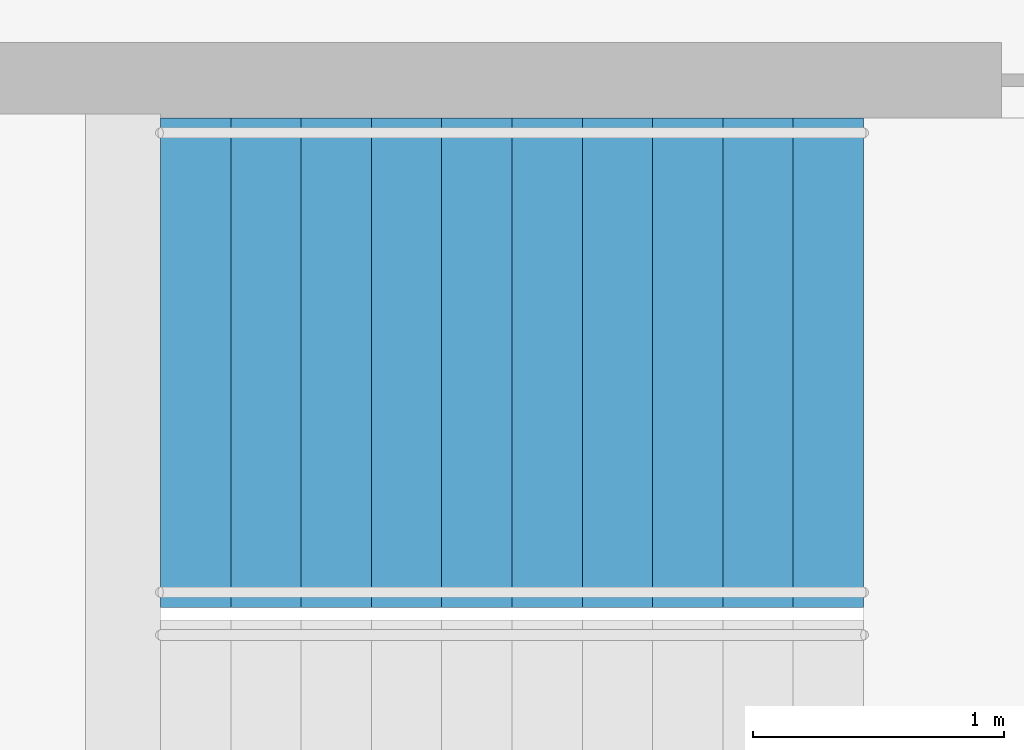
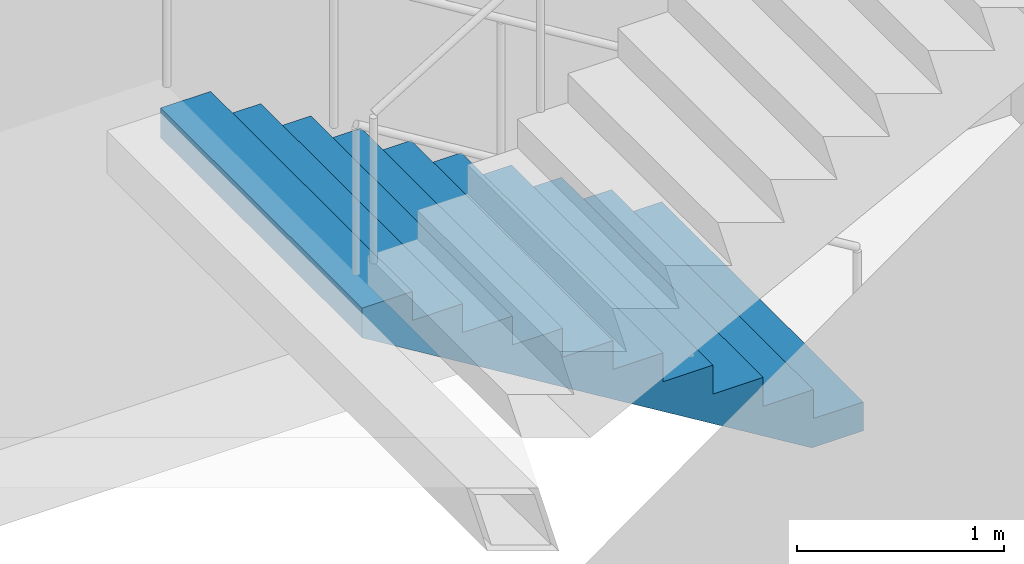
# One storey, part 23 of 26: 1 stair flight, 1 element without a shape of its own.
"""IFC4 building model written with IfcOpenShell, lengths in metres."""

from ifc_helpers import new_model, si_unit, direction, frame, origin, place, context, subcontext, project, spatial, triangles, material, type_object, element, aggregate, save


model = new_model("IFC4")

# Units and contexts
model_context = context("Model", 3, precision=1e-05, world=origin(), true_north=direction((0.0, 1.0)))
body_context = subcontext(model_context, "Body", "Model", "MODEL_VIEW")
ifc_project = project(units=[si_unit("LENGTHUNIT", "METRE"), si_unit("AREAUNIT", "SQUARE_METRE"), si_unit("VOLUMEUNIT", "CUBIC_METRE"), si_unit("PLANEANGLEUNIT", "RADIAN"), si_unit("MASSUNIT", "GRAM", prefix="KILO")], contexts=[model_context])

# Site, building, storey
site_placement = place(None, origin())
site = spatial("IfcSite", under=ifc_project, at=site_placement, CompositionType="ELEMENT")
building_placement = place(site_placement, origin())
building = spatial("IfcBuilding", under=site, at=building_placement, Name="Orbita Commons", CompositionType="ELEMENT")
storey_placement = place(building_placement, frame((0.0, 0.0, 53.949951171875)))
storey = spatial("IfcBuildingStorey", under=building, at=storey_placement, Name="L13", CompositionType="ELEMENT", Elevation=53.949951171875)

# Stair, stair flight
ifc_material_1 = material(Name="Precast concrete C40/50", Category="concrete")
stair_type = type_object("IfcStairType", Name="Exit stair S2 2 flights 11 risers 170", PredefinedType="HALF_TURN_STAIR", material=ifc_material_1)
stair_placement = place(storey_placement, origin())
stair = element("IfcStair", 1, at=stair_placement, inside=storey, type_object=stair_type, Name="Exit stair S2 L13", PredefinedType="HALF_TURN_STAIR")
ifc_material_2 = material(Name="Precast concrete C40/50", Category="concrete")
stair_flight_type = type_object("IfcStairFlightType", Name="Stair flight 11 risers 170 x 280", PredefinedType="STRAIGHT", material=ifc_material_2)
stair_flight_placement = place(storey_placement, frame((63.550048828125, 29.27490234375, 0.0), z_axis=(0.0, 0.0, 1.0), x_axis=(-1.0, 0.0, 0.0)))
stair_flight = element("IfcStairFlight", 2, at=stair_flight_placement, type_object=stair_flight_type, Name="S2 flight 1", NumberOfRisers=11, NumberOfTreads=10, PredefinedType="STRAIGHT", RiserHeight=0.170454545, TreadLength=0.28, context=body_context, shape_type="Tessellation", body=[
    triangles([(0.0, 0.974976, 0.0), (0.0, 0.974976, 0.021307), (0.0, 0.81248, 0.021307), (0.0, 0.81248, 0.0), (0.0, 0.649984, 0.021307), (0.0, 0.649984, 0.0), (0.0, 0.487488, 0.021307), (0.0, 0.487488, 0.0), (0.0, 0.324992, 0.021307), (0.0, 0.324992, 0.0), (0.0, 0.162496, 0.021307), (0.0, 0.162496, 0.0), (0.0, 0.0, 0.021307), (0.0, 0.0, 0.0), (0.0, -0.162496, 0.021307), (0.0, -0.162496, 0.0), (0.0, -0.324992, 0.021307), (0.0, -0.324992, 0.0), (0.0, -0.487488, 0.021307), (0.0, -0.487488, 0.0), (0.0, -0.649984, 0.021307), (0.0, -0.649984, 0.0), (0.0, -0.81248, 0.021307), (0.0, -0.81248, 0.0), (0.0, -0.974976, 0.021307), (0.0, -0.974976, 0.0), (0.0, 0.974976, 0.042614), (0.0, 0.81248, 0.042614), (0.0, 0.649984, 0.042614), (0.0, 0.487488, 0.042614), (0.0, 0.324992, 0.042614), (0.0, 0.162496, 0.042614), (0.0, 0.0, 0.042614), (0.0, -0.162496, 0.042614), (0.0, -0.324992, 0.042614), (0.0, -0.487488, 0.042614), (0.0, -0.649984, 0.042614), (0.0, -0.81248, 0.042614), (0.0, -0.974976, 0.042614), (0.0, 0.974976, 0.06392), (0.0, 0.81248, 0.06392), (0.0, 0.649984, 0.06392), (0.0, 0.487488, 0.06392), (0.0, 0.324992, 0.06392), (0.0, 0.162496, 0.06392), (0.0, 0.0, 0.06392), (0.0, -0.162496, 0.06392), (0.0, -0.324992, 0.06392), (0.0, -0.487488, 0.06392), (0.0, -0.649984, 0.06392), (0.0, -0.81248, 0.06392), (0.0, -0.974976, 0.06392), (0.0, 0.974976, 0.085227), (0.0, 0.81248, 0.085227), (0.0, 0.649984, 0.085227), (0.0, 0.487488, 0.085227), (0.0, 0.324992, 0.085227), (0.0, 0.162496, 0.085227), (0.0, 0.0, 0.085227), (0.0, -0.162496, 0.085227), (0.0, -0.324992, 0.085227), (0.0, -0.487488, 0.085227), (0.0, -0.649984, 0.085227), (0.0, -0.81248, 0.085227), (0.0, -0.974976, 0.085227), (0.0, 0.974976, 0.106534), (0.0, 0.81248, 0.106534), (0.0, 0.649984, 0.106534), (0.0, 0.487488, 0.106534), (0.0, 0.324992, 0.106534), (0.0, 0.162496, 0.106534), (0.0, 0.0, 0.106534), (0.0, -0.162496, 0.106534), (0.0, -0.324992, 0.106534), (0.0, -0.487488, 0.106534), (0.0, -0.649984, 0.106534), (0.0, -0.81248, 0.106534), (0.0, -0.974976, 0.106534), (0.0, 0.974976, 0.127841), (0.0, 0.81248, 0.127841), (0.0, 0.649984, 0.127841), (0.0, 0.487488, 0.127841), (0.0, 0.324992, 0.127841), (0.0, 0.162496, 0.127841), (0.0, 0.0, 0.127841), (0.0, -0.162496, 0.127841), (0.0, -0.324992, 0.127841), (0.0, -0.487488, 0.127841), (0.0, -0.649984, 0.127841), (0.0, -0.81248, 0.127841), (0.0, -0.974976, 0.127841), (0.0, 0.974976, 0.149148), (0.0, 0.81248, 0.149148), (0.0, 0.649984, 0.149148), (0.0, 0.487488, 0.149148), (0.0, 0.324992, 0.149148), (0.0, 0.162496, 0.149148), (0.0, 0.0, 0.149148), (0.0, -0.162496, 0.149148), (0.0, -0.324992, 0.149148), (0.0, -0.487488, 0.149148), (0.0, -0.649984, 0.149148), (0.0, -0.81248, 0.149148), (0.0, -0.974976, 0.149148), (0.0, 0.974976, 0.170455), (0.0, 0.81248, 0.170455), (0.0, 0.649984, 0.170455), (0.0, 0.487488, 0.170455), (0.0, 0.324992, 0.170455), (0.0, 0.162496, 0.170455), (0.0, 0.0, 0.170455), (0.0, -0.162496, 0.170455), (0.0, -0.324992, 0.170455), (0.0, -0.487488, 0.170455), (0.0, -0.649984, 0.170455), (0.0, -0.81248, 0.170455), (0.0, -0.974976, 0.170455), (0.28, 0.974976, 0.170455), (0.28, 0.81248, 0.170455), (0.28, 0.649984, 0.170455), (0.28, 0.487488, 0.170455), (0.28, 0.324992, 0.170455), (0.28, 0.162496, 0.170455), (0.28, 0.0, 0.170455), (0.28, -0.162496, 0.170455), (0.28, -0.324992, 0.170455), (0.28, -0.487488, 0.170455), (0.28, -0.649984, 0.170455), (0.28, -0.81248, 0.170455), (0.28, -0.974976, 0.170455), (0.28, 0.974976, 0.340909), (0.28, 0.81248, 0.340909), (0.28, 0.649984, 0.340909), (0.28, 0.487488, 0.340909), (0.28, 0.324992, 0.340909), (0.28, 0.162496, 0.340909), (0.28, 0.0, 0.340909), (0.28, -0.162496, 0.340909), (0.28, -0.324992, 0.340909), (0.28, -0.487488, 0.340909), (0.28, -0.649984, 0.340909), (0.28, -0.81248, 0.340909), (0.28, -0.974976, 0.340909), (0.56, 0.974976, 0.340909), (0.56, 0.81248, 0.340909), (0.56, 0.649984, 0.340909), (0.56, 0.487488, 0.340909), (0.56, 0.324992, 0.340909), (0.56, 0.162496, 0.340909), (0.56, 0.0, 0.340909), (0.56, -0.162496, 0.340909), (0.56, -0.324992, 0.340909), (0.56, -0.487488, 0.340909), (0.56, -0.649984, 0.340909), (0.56, -0.81248, 0.340909), (0.56, -0.974976, 0.340909), (0.56, 0.974976, 0.511364), (0.56, 0.81248, 0.511364), (0.56, 0.649984, 0.511364), (0.56, 0.487488, 0.511364), (0.56, 0.324992, 0.511364), (0.56, 0.162496, 0.511364), (0.56, 0.0, 0.511364), (0.56, -0.162496, 0.511364), (0.56, -0.324992, 0.511364), (0.56, -0.487488, 0.511364), (0.56, -0.649984, 0.511364), (0.56, -0.81248, 0.511364), (0.56, -0.974976, 0.511364), (0.84, 0.974976, 0.511364), (0.84, 0.81248, 0.511364), (0.84, 0.649984, 0.511364), (0.84, 0.487488, 0.511364), (0.84, 0.324992, 0.511364), (0.84, 0.162496, 0.511364), (0.84, 0.0, 0.511364), (0.84, -0.162496, 0.511364), (0.84, -0.324992, 0.511364), (0.84, -0.487488, 0.511364), (0.84, -0.649984, 0.511364), (0.84, -0.81248, 0.511364), (0.84, -0.974976, 0.511364), (0.84, 0.974976, 0.681818), (0.84, 0.81248, 0.681818), (0.84, 0.649984, 0.681818), (0.84, 0.487488, 0.681818), (0.84, 0.324992, 0.681818), (0.84, 0.162496, 0.681818), (0.84, 0.0, 0.681818), (0.84, -0.162496, 0.681818), (0.84, -0.324992, 0.681818), (0.84, -0.487488, 0.681818), (0.84, -0.649984, 0.681818), (0.84, -0.81248, 0.681818), (0.84, -0.974976, 0.681818), (1.12, 0.974976, 0.681818), (1.12, 0.81248, 0.681818), (1.12, 0.649984, 0.681818), (1.12, 0.487488, 0.681818), (1.12, 0.324992, 0.681818), (1.12, 0.162496, 0.681818), (1.12, 0.0, 0.681818), (1.12, -0.162496, 0.681818), (1.12, -0.324992, 0.681818), (1.12, -0.487488, 0.681818), (1.12, -0.649984, 0.681818), (1.12, -0.81248, 0.681818), (1.12, -0.974976, 0.681818), (1.12, 0.974976, 0.852273), (1.12, 0.81248, 0.852273), (1.12, 0.649984, 0.852273), (1.12, 0.487488, 0.852273), (1.12, 0.324992, 0.852273), (1.12, 0.162496, 0.852273), (1.12, 0.0, 0.852273), (1.12, -0.162496, 0.852273), (1.12, -0.324992, 0.852273), (1.12, -0.487488, 0.852273), (1.12, -0.649984, 0.852273), (1.12, -0.81248, 0.852273), (1.12, -0.974976, 0.852273), (1.4, 0.974976, 0.852273), (1.4, 0.81248, 0.852273), (1.4, 0.649984, 0.852273), (1.4, 0.487488, 0.852273), (1.4, 0.324992, 0.852273), (1.4, 0.162496, 0.852273), (1.4, 0.0, 0.852273), (1.4, -0.162496, 0.852273), (1.4, -0.324992, 0.852273), (1.4, -0.487488, 0.852273), (1.4, -0.649984, 0.852273), (1.4, -0.81248, 0.852273), (1.4, -0.974976, 0.852273), (1.4, 0.974976, 1.022727), (1.4, 0.81248, 1.022727), (1.4, 0.649984, 1.022727), (1.4, 0.487488, 1.022727), (1.4, 0.324992, 1.022727), (1.4, 0.162496, 1.022727), (1.4, 0.0, 1.022727), (1.4, -0.162496, 1.022727), (1.4, -0.324992, 1.022727), (1.4, -0.487488, 1.022727), (1.4, -0.649984, 1.022727), (1.4, -0.81248, 1.022727), (1.4, -0.974976, 1.022727), (1.68, 0.974976, 1.022727), (1.68, 0.81248, 1.022727), (1.68, 0.649984, 1.022727), (1.68, 0.487488, 1.022727), (1.68, 0.324992, 1.022727), (1.68, 0.162496, 1.022727), (1.68, 0.0, 1.022727), (1.68, -0.162496, 1.022727), (1.68, -0.324992, 1.022727), (1.68, -0.487488, 1.022727), (1.68, -0.649984, 1.022727), (1.68, -0.81248, 1.022727), (1.68, -0.974976, 1.022727), (1.68, 0.974976, 1.193182), (1.68, 0.81248, 1.193182), (1.68, 0.649984, 1.193182), (1.68, 0.487488, 1.193182), (1.68, 0.324992, 1.193182), (1.68, 0.162496, 1.193182), (1.68, 0.0, 1.193182), (1.68, -0.162496, 1.193182), (1.68, -0.324992, 1.193182), (1.68, -0.487488, 1.193182), (1.68, -0.649984, 1.193182), (1.68, -0.81248, 1.193182), (1.68, -0.974976, 1.193182), (1.96, 0.974976, 1.193182), (1.96, 0.81248, 1.193182), (1.96, 0.649984, 1.193182), (1.96, 0.487488, 1.193182), (1.96, 0.324992, 1.193182), (1.96, 0.162496, 1.193182), (1.96, 0.0, 1.193182), (1.96, -0.162496, 1.193182), (1.96, -0.324992, 1.193182), (1.96, -0.487488, 1.193182), (1.96, -0.649984, 1.193182), (1.96, -0.81248, 1.193182), (1.96, -0.974976, 1.193182), (1.96, 0.974976, 1.363636), (1.96, 0.81248, 1.363636), (1.96, 0.649984, 1.363636), (1.96, 0.487488, 1.363636), (1.96, 0.324992, 1.363636), (1.96, 0.162496, 1.363636), (1.96, 0.0, 1.363636), (1.96, -0.162496, 1.363636), (1.96, -0.324992, 1.363636), (1.96, -0.487488, 1.363636), (1.96, -0.649984, 1.363636), (1.96, -0.81248, 1.363636), (1.96, -0.974976, 1.363636), (2.24, 0.974976, 1.363636), (2.24, 0.81248, 1.363636), (2.24, 0.649984, 1.363636), (2.24, 0.487488, 1.363636), (2.24, 0.324992, 1.363636), (2.24, 0.162496, 1.363636), (2.24, 0.0, 1.363636), (2.24, -0.162496, 1.363636), (2.24, -0.324992, 1.363636), (2.24, -0.487488, 1.363636), (2.24, -0.649984, 1.363636), (2.24, -0.81248, 1.363636), (2.24, -0.974976, 1.363636), (2.24, 0.974976, 1.534091), (2.24, 0.81248, 1.534091), (2.24, 0.649984, 1.534091), (2.24, 0.487488, 1.534091), (2.24, 0.324992, 1.534091), (2.24, 0.162496, 1.534091), (2.24, 0.0, 1.534091), (2.24, -0.162496, 1.534091), (2.24, -0.324992, 1.534091), (2.24, -0.487488, 1.534091), (2.24, -0.649984, 1.534091), (2.24, -0.81248, 1.534091), (2.24, -0.974976, 1.534091), (2.52, 0.974976, 1.534091), (2.52, 0.81248, 1.534091), (2.52, 0.649984, 1.534091), (2.52, 0.487488, 1.534091), (2.52, 0.324992, 1.534091), (2.52, 0.162496, 1.534091), (2.52, 0.0, 1.534091), (2.52, -0.162496, 1.534091), (2.52, -0.324992, 1.534091), (2.52, -0.487488, 1.534091), (2.52, -0.649984, 1.534091), (2.52, -0.81248, 1.534091), (2.52, -0.974976, 1.534091), (2.52, 0.974976, 1.704545), (2.52, 0.81248, 1.704545), (2.52, 0.649984, 1.704545), (2.52, 0.487488, 1.704545), (2.52, 0.324992, 1.704545), (2.52, 0.162496, 1.704545), (2.52, 0.0, 1.704545), (2.52, -0.162496, 1.704545), (2.52, -0.324992, 1.704545), (2.52, -0.487488, 1.704545), (2.52, -0.649984, 1.704545), (2.52, -0.81248, 1.704545), (2.52, -0.974976, 1.704545), (2.8, 0.974976, 1.704545), (2.8, 0.81248, 1.704545), (2.8, 0.649984, 1.704545), (2.8, 0.487488, 1.704545), (2.8, 0.324992, 1.704545), (2.8, 0.162496, 1.704545), (2.8, 0.0, 1.704545), (2.8, -0.162496, 1.704545), (2.8, -0.324992, 1.704545), (2.8, -0.487488, 1.704545), (2.8, -0.649984, 1.704545), (2.8, -0.81248, 1.704545), (2.8, -0.974976, 1.704545), (2.8, 0.974976, 1.682609), (2.8, 0.81248, 1.682609), (2.8, 0.649984, 1.682609), (2.8, 0.487488, 1.682609), (2.8, 0.324992, 1.682609), (2.8, 0.162496, 1.682609), (2.8, 0.0, 1.682609), (2.8, -0.162496, 1.682609), (2.8, -0.324992, 1.682609), (2.8, -0.487488, 1.682609), (2.8, -0.649984, 1.682609), (2.8, -0.81248, 1.682609), (2.8, -0.974976, 1.682609), (2.8, 0.974976, 1.660672), (2.8, 0.81248, 1.660672), (2.8, 0.649984, 1.660672), (2.8, 0.487488, 1.660672), (2.8, 0.324992, 1.660672), (2.8, 0.162496, 1.660672), (2.8, 0.0, 1.660672), (2.8, -0.162496, 1.660672), (2.8, -0.324992, 1.660672), (2.8, -0.487488, 1.660672), (2.8, -0.649984, 1.660672), (2.8, -0.81248, 1.660672), (2.8, -0.974976, 1.660672), (2.8, 0.974976, 1.638735), (2.8, 0.81248, 1.638735), (2.8, 0.649984, 1.638735), (2.8, 0.487488, 1.638735), (2.8, 0.324992, 1.638735), (2.8, 0.162496, 1.638735), (2.8, 0.0, 1.638735), (2.8, -0.162496, 1.638735), (2.8, -0.324992, 1.638735), (2.8, -0.487488, 1.638735), (2.8, -0.649984, 1.638735), (2.8, -0.81248, 1.638735), (2.8, -0.974976, 1.638735), (2.8, 0.974976, 1.616798), (2.8, 0.81248, 1.616798), (2.8, 0.649984, 1.616798), (2.8, 0.487488, 1.616798), (2.8, 0.324992, 1.616798), (2.8, 0.162496, 1.616798), (2.8, 0.0, 1.616798), (2.8, -0.162496, 1.616798), (2.8, -0.324992, 1.616798), (2.8, -0.487488, 1.616798), (2.8, -0.649984, 1.616798), (2.8, -0.81248, 1.616798), (2.8, -0.974976, 1.616798), (2.8, 0.974976, 1.594861), (2.8, 0.81248, 1.594861), (2.8, 0.649984, 1.594861), (2.8, 0.487488, 1.594861), (2.8, 0.324992, 1.594861), (2.8, 0.162496, 1.594861), (2.8, 0.0, 1.594861), (2.8, -0.162496, 1.594861), (2.8, -0.324992, 1.594861), (2.8, -0.487488, 1.594861), (2.8, -0.649984, 1.594861), (2.8, -0.81248, 1.594861), (2.8, -0.974976, 1.594861), (2.8, 0.974976, 1.572925), (2.8, 0.81248, 1.572925), (2.8, 0.649984, 1.572925), (2.8, 0.487488, 1.572925), (2.8, 0.324992, 1.572925), (2.8, 0.162496, 1.572925), (2.8, 0.0, 1.572925), (2.8, -0.162496, 1.572925), (2.8, -0.324992, 1.572925), (2.8, -0.487488, 1.572925), (2.8, -0.649984, 1.572925), (2.8, -0.81248, 1.572925), (2.8, -0.974976, 1.572925), (2.8, 0.974976, 1.550988), (2.8, 0.81248, 1.550988), (2.8, 0.649984, 1.550988), (2.8, 0.487488, 1.550988), (2.8, 0.324992, 1.550988), (2.8, 0.162496, 1.550988), (2.8, 0.0, 1.550988), (2.8, -0.162496, 1.550988), (2.8, -0.324992, 1.550988), (2.8, -0.487488, 1.550988), (2.8, -0.649984, 1.550988), (2.8, -0.81248, 1.550988), (2.8, -0.974976, 1.550988), (2.8, 0.974976, 1.529051), (2.8, 0.81248, 1.529051), (2.8, 0.649984, 1.529051), (2.8, 0.487488, 1.529051), (2.8, 0.324992, 1.529051), (2.8, 0.162496, 1.529051), (2.8, 0.0, 1.529051), (2.8, -0.162496, 1.529051), (2.8, -0.324992, 1.529051), (2.8, -0.487488, 1.529051), (2.8, -0.649984, 1.529051), (2.8, -0.81248, 1.529051), (2.8, -0.974976, 1.529051), (0.288279, 0.974976, 0.0), (0.288279, 0.81248, 0.0), (0.288279, 0.649984, 0.0), (0.288279, 0.487488, 0.0), (0.288279, 0.324992, 0.0), (0.288279, 0.162496, 0.0), (0.288279, 0.0, 0.0), (0.288279, -0.162496, 0.0), (0.288279, -0.324992, 0.0), (0.288279, -0.487488, 0.0), (0.288279, -0.649984, 0.0), (0.288279, -0.81248, 0.0), (0.288279, -0.974976, 0.0)], [[3, 2, 1], [4, 3, 1], [5, 3, 4], [6, 5, 4], [7, 5, 6], [8, 7, 6], [9, 7, 8], [10, 9, 8], [11, 9, 10], [12, 11, 10], [13, 11, 12], [14, 13, 12], [15, 13, 14], [16, 15, 14], [17, 15, 16], [18, 17, 16], [19, 17, 18], [20, 19, 18], [21, 19, 20], [22, 21, 20], [23, 21, 22], [24, 23, 22], [25, 23, 24], [26, 25, 24], [28, 27, 2], [3, 28, 2], [29, 28, 3], [5, 29, 3], [30, 29, 5], [7, 30, 5], [31, 30, 7], [9, 31, 7], [32, 31, 9], [11, 32, 9], [33, 32, 11], [13, 33, 11], [34, 33, 13], [15, 34, 13], [35, 34, 15], [17, 35, 15], [36, 35, 17], [19, 36, 17], [37, 36, 19], [21, 37, 19], [38, 37, 21], [23, 38, 21], [39, 38, 23], [25, 39, 23], [41, 40, 27], [28, 41, 27], [42, 41, 28], [29, 42, 28], [43, 42, 29], [30, 43, 29], [44, 43, 30], [31, 44, 30], [45, 44, 31], [32, 45, 31], [46, 45, 32], [33, 46, 32], [47, 46, 33], [34, 47, 33], [48, 47, 34], [35, 48, 34], [49, 48, 35], [36, 49, 35], [50, 49, 36], [37, 50, 36], [51, 50, 37], [38, 51, 37], [52, 51, 38], [39, 52, 38], [54, 53, 40], [41, 54, 40], [55, 54, 41], [42, 55, 41], [56, 55, 42], [43, 56, 42], [57, 56, 43], [44, 57, 43], [58, 57, 44], [45, 58, 44], [59, 58, 45], [46, 59, 45], [60, 59, 46], [47, 60, 46], [61, 60, 47], [48, 61, 47], [62, 61, 48], [49, 62, 48], [63, 62, 49], [50, 63, 49], [64, 63, 50], [51, 64, 50], [65, 64, 51], [52, 65, 51], [67, 66, 53], [54, 67, 53], [68, 67, 54], [55, 68, 54], [69, 68, 55], [56, 69, 55], [70, 69, 56], [57, 70, 56], [71, 70, 57], [58, 71, 57], [72, 71, 58], [59, 72, 58], [73, 72, 59], [60, 73, 59], [74, 73, 60], [61, 74, 60], [75, 74, 61], [62, 75, 61], [76, 75, 62], [63, 76, 62], [77, 76, 63], [64, 77, 63], [78, 77, 64], [65, 78, 64], [80, 79, 66], [67, 80, 66], [81, 80, 67], [68, 81, 67], [82, 81, 68], [69, 82, 68], [83, 82, 69], [70, 83, 69], [84, 83, 70], [71, 84, 70], [85, 84, 71], [72, 85, 71], [86, 85, 72], [73, 86, 72], [87, 86, 73], [74, 87, 73], [88, 87, 74], [75, 88, 74], [89, 88, 75], [76, 89, 75], [90, 89, 76], [77, 90, 76], [91, 90, 77], [78, 91, 77], [93, 92, 79], [80, 93, 79], [94, 93, 80], [81, 94, 80], [95, 94, 81], [82, 95, 81], [96, 95, 82], [83, 96, 82], [97, 96, 83], [84, 97, 83], [98, 97, 84], [85, 98, 84], [99, 98, 85], [86, 99, 85], [100, 99, 86], [87, 100, 86], [101, 100, 87], [88, 101, 87], [102, 101, 88], [89, 102, 88], [103, 102, 89], [90, 103, 89], [104, 103, 90], [91, 104, 90], [106, 105, 92], [93, 106, 92], [107, 106, 93], [94, 107, 93], [108, 107, 94], [95, 108, 94], [109, 108, 95], [96, 109, 95], [110, 109, 96], [97, 110, 96], [111, 110, 97], [98, 111, 97], [112, 111, 98], [99, 112, 98], [113, 112, 99], [100, 113, 99], [114, 113, 100], [101, 114, 100], [115, 114, 101], [102, 115, 101], [116, 115, 102], [103, 116, 102], [117, 116, 103], [104, 117, 103], [119, 118, 105], [106, 119, 105], [120, 119, 106], [107, 120, 106], [121, 120, 107], [108, 121, 107], [122, 121, 108], [109, 122, 108], [123, 122, 109], [110, 123, 109], [124, 123, 110], [111, 124, 110], [125, 124, 111], [112, 125, 111], [126, 125, 112], [113, 126, 112], [127, 126, 113], [114, 127, 113], [128, 127, 114], [115, 128, 114], [129, 128, 115], [116, 129, 115], [130, 129, 116], [117, 130, 116], [132, 131, 118], [119, 132, 118], [133, 132, 119], [120, 133, 119], [134, 133, 120], [121, 134, 120], [135, 134, 121], [122, 135, 121], [136, 135, 122], [123, 136, 122], [137, 136, 123], [124, 137, 123], [138, 137, 124], [125, 138, 124], [139, 138, 125], [126, 139, 125], [140, 139, 126], [127, 140, 126], [141, 140, 127], [128, 141, 127], [142, 141, 128], [129, 142, 128], [143, 142, 129], [130, 143, 129], [145, 144, 131], [132, 145, 131], [146, 145, 132], [133, 146, 132], [147, 146, 133], [134, 147, 133], [148, 147, 134], [135, 148, 134], [149, 148, 135], [136, 149, 135], [150, 149, 136], [137, 150, 136], [151, 150, 137], [138, 151, 137], [152, 151, 138], [139, 152, 138], [153, 152, 139], [140, 153, 139], [154, 153, 140], [141, 154, 140], [155, 154, 141], [142, 155, 141], [156, 155, 142], [143, 156, 142], [158, 157, 144], [145, 158, 144], [159, 158, 145], [146, 159, 145], [160, 159, 146], [147, 160, 146], [161, 160, 147], [148, 161, 147], [162, 161, 148], [149, 162, 148], [163, 162, 149], [150, 163, 149], [164, 163, 150], [151, 164, 150], [165, 164, 151], [152, 165, 151], [166, 165, 152], [153, 166, 152], [167, 166, 153], [154, 167, 153], [168, 167, 154], [155, 168, 154], [169, 168, 155], [156, 169, 155], [171, 170, 157], [158, 171, 157], [172, 171, 158], [159, 172, 158], [173, 172, 159], [160, 173, 159], [174, 173, 160], [161, 174, 160], [175, 174, 161], [162, 175, 161], [176, 175, 162], [163, 176, 162], [177, 176, 163], [164, 177, 163], [178, 177, 164], [165, 178, 164], [179, 178, 165], [166, 179, 165], [180, 179, 166], [167, 180, 166], [181, 180, 167], [168, 181, 167], [182, 181, 168], [169, 182, 168], [184, 183, 170], [171, 184, 170], [185, 184, 171], [172, 185, 171], [186, 185, 172], [173, 186, 172], [187, 186, 173], [174, 187, 173], [188, 187, 174], [175, 188, 174], [189, 188, 175], [176, 189, 175], [190, 189, 176], [177, 190, 176], [191, 190, 177], [178, 191, 177], [192, 191, 178], [179, 192, 178], [193, 192, 179], [180, 193, 179], [194, 193, 180], [181, 194, 180], [195, 194, 181], [182, 195, 181], [197, 196, 183], [184, 197, 183], [198, 197, 184], [185, 198, 184], [199, 198, 185], [186, 199, 185], [200, 199, 186], [187, 200, 186], [201, 200, 187], [188, 201, 187], [202, 201, 188], [189, 202, 188], [203, 202, 189], [190, 203, 189], [204, 203, 190], [191, 204, 190], [205, 204, 191], [192, 205, 191], [206, 205, 192], [193, 206, 192], [207, 206, 193], [194, 207, 193], [208, 207, 194], [195, 208, 194], [210, 209, 196], [197, 210, 196], [211, 210, 197], [198, 211, 197], [212, 211, 198], [199, 212, 198], [213, 212, 199], [200, 213, 199], [214, 213, 200], [201, 214, 200], [215, 214, 201], [202, 215, 201], [216, 215, 202], [203, 216, 202], [217, 216, 203], [204, 217, 203], [218, 217, 204], [205, 218, 204], [219, 218, 205], [206, 219, 205], [220, 219, 206], [207, 220, 206], [221, 220, 207], [208, 221, 207], [223, 222, 209], [210, 223, 209], [224, 223, 210], [211, 224, 210], [225, 224, 211], [212, 225, 211], [226, 225, 212], [213, 226, 212], [227, 226, 213], [214, 227, 213], [228, 227, 214], [215, 228, 214], [229, 228, 215], [216, 229, 215], [230, 229, 216], [217, 230, 216], [231, 230, 217], [218, 231, 217], [232, 231, 218], [219, 232, 218], [233, 232, 219], [220, 233, 219], [234, 233, 220], [221, 234, 220], [236, 235, 222], [223, 236, 222], [237, 236, 223], [224, 237, 223], [238, 237, 224], [225, 238, 224], [239, 238, 225], [226, 239, 225], [240, 239, 226], [227, 240, 226], [241, 240, 227], [228, 241, 227], [242, 241, 228], [229, 242, 228], [243, 242, 229], [230, 243, 229], [244, 243, 230], [231, 244, 230], [245, 244, 231], [232, 245, 231], [246, 245, 232], [233, 246, 232], [247, 246, 233], [234, 247, 233], [249, 248, 235], [236, 249, 235], [250, 249, 236], [237, 250, 236], [251, 250, 237], [238, 251, 237], [252, 251, 238], [239, 252, 238], [253, 252, 239], [240, 253, 239], [254, 253, 240], [241, 254, 240], [255, 254, 241], [242, 255, 241], [256, 255, 242], [243, 256, 242], [257, 256, 243], [244, 257, 243], [258, 257, 244], [245, 258, 244], [259, 258, 245], [246, 259, 245], [260, 259, 246], [247, 260, 246], [262, 261, 248], [249, 262, 248], [263, 262, 249], [250, 263, 249], [264, 263, 250], [251, 264, 250], [265, 264, 251], [252, 265, 251], [266, 265, 252], [253, 266, 252], [267, 266, 253], [254, 267, 253], [268, 267, 254], [255, 268, 254], [269, 268, 255], [256, 269, 255], [270, 269, 256], [257, 270, 256], [271, 270, 257], [258, 271, 257], [272, 271, 258], [259, 272, 258], [273, 272, 259], [260, 273, 259], [275, 274, 261], [262, 275, 261], [276, 275, 262], [263, 276, 262], [277, 276, 263], [264, 277, 263], [278, 277, 264], [265, 278, 264], [279, 278, 265], [266, 279, 265], [280, 279, 266], [267, 280, 266], [281, 280, 267], [268, 281, 267], [282, 281, 268], [269, 282, 268], [283, 282, 269], [270, 283, 269], [284, 283, 270], [271, 284, 270], [285, 284, 271], [272, 285, 271], [286, 285, 272], [273, 286, 272], [288, 287, 274], [275, 288, 274], [289, 288, 275], [276, 289, 275], [290, 289, 276], [277, 290, 276], [291, 290, 277], [278, 291, 277], [292, 291, 278], [279, 292, 278], [293, 292, 279], [280, 293, 279], [294, 293, 280], [281, 294, 280], [295, 294, 281], [282, 295, 281], [296, 295, 282], [283, 296, 282], [297, 296, 283], [284, 297, 283], [298, 297, 284], [285, 298, 284], [299, 298, 285], [286, 299, 285], [301, 300, 287], [288, 301, 287], [302, 301, 288], [289, 302, 288], [303, 302, 289], [290, 303, 289], [304, 303, 290], [291, 304, 290], [305, 304, 291], [292, 305, 291], [306, 305, 292], [293, 306, 292], [307, 306, 293], [294, 307, 293], [308, 307, 294], [295, 308, 294], [309, 308, 295], [296, 309, 295], [310, 309, 296], [297, 310, 296], [311, 310, 297], [298, 311, 297], [312, 311, 298], [299, 312, 298], [314, 313, 300], [301, 314, 300], [315, 314, 301], [302, 315, 301], [316, 315, 302], [303, 316, 302], [317, 316, 303], [304, 317, 303], [318, 317, 304], [305, 318, 304], [319, 318, 305], [306, 319, 305], [320, 319, 306], [307, 320, 306], [321, 320, 307], [308, 321, 307], [322, 321, 308], [309, 322, 308], [323, 322, 309], [310, 323, 309], [324, 323, 310], [311, 324, 310], [325, 324, 311], [312, 325, 311], [327, 326, 313], [314, 327, 313], [328, 327, 314], [315, 328, 314], [329, 328, 315], [316, 329, 315], [330, 329, 316], [317, 330, 316], [331, 330, 317], [318, 331, 317], [332, 331, 318], [319, 332, 318], [333, 332, 319], [320, 333, 319], [334, 333, 320], [321, 334, 320], [335, 334, 321], [322, 335, 321], [336, 335, 322], [323, 336, 322], [337, 336, 323], [324, 337, 323], [338, 337, 324], [325, 338, 324], [340, 339, 326], [327, 340, 326], [341, 340, 327], [328, 341, 327], [342, 341, 328], [329, 342, 328], [343, 342, 329], [330, 343, 329], [344, 343, 330], [331, 344, 330], [345, 344, 331], [332, 345, 331], [346, 345, 332], [333, 346, 332], [347, 346, 333], [334, 347, 333], [348, 347, 334], [335, 348, 334], [349, 348, 335], [336, 349, 335], [350, 349, 336], [337, 350, 336], [351, 350, 337], [338, 351, 337], [353, 352, 339], [340, 353, 339], [354, 353, 340], [341, 354, 340], [355, 354, 341], [342, 355, 341], [356, 355, 342], [343, 356, 342], [357, 356, 343], [344, 357, 343], [358, 357, 344], [345, 358, 344], [359, 358, 345], [346, 359, 345], [360, 359, 346], [347, 360, 346], [361, 360, 347], [348, 361, 347], [362, 361, 348], [349, 362, 348], [363, 362, 349], [350, 363, 349], [364, 363, 350], [351, 364, 350], [366, 365, 352], [353, 366, 352], [367, 366, 353], [354, 367, 353], [368, 367, 354], [355, 368, 354], [369, 368, 355], [356, 369, 355], [370, 369, 356], [357, 370, 356], [371, 370, 357], [358, 371, 357], [372, 371, 358], [359, 372, 358], [373, 372, 359], [360, 373, 359], [374, 373, 360], [361, 374, 360], [375, 374, 361], [362, 375, 361], [376, 375, 362], [363, 376, 362], [377, 376, 363], [364, 377, 363], [379, 378, 365], [366, 379, 365], [380, 379, 366], [367, 380, 366], [381, 380, 367], [368, 381, 367], [382, 381, 368], [369, 382, 368], [383, 382, 369], [370, 383, 369], [384, 383, 370], [371, 384, 370], [385, 384, 371], [372, 385, 371], [386, 385, 372], [373, 386, 372], [387, 386, 373], [374, 387, 373], [388, 387, 374], [375, 388, 374], [389, 388, 375], [376, 389, 375], [390, 389, 376], [377, 390, 376], [392, 391, 378], [379, 392, 378], [393, 392, 379], [380, 393, 379], [394, 393, 380], [381, 394, 380], [395, 394, 381], [382, 395, 381], [396, 395, 382], [383, 396, 382], [397, 396, 383], [384, 397, 383], [398, 397, 384], [385, 398, 384], [399, 398, 385], [386, 399, 385], [400, 399, 386], [387, 400, 386], [401, 400, 387], [388, 401, 387], [402, 401, 388], [389, 402, 388], [403, 402, 389], [390, 403, 389], [405, 404, 391], [392, 405, 391], [406, 405, 392], [393, 406, 392], [407, 406, 393], [394, 407, 393], [408, 407, 394], [395, 408, 394], [409, 408, 395], [396, 409, 395], [410, 409, 396], [397, 410, 396], [411, 410, 397], [398, 411, 397], [412, 411, 398], [399, 412, 398], [413, 412, 399], [400, 413, 399], [414, 413, 400], [401, 414, 400], [415, 414, 401], [402, 415, 401], [416, 415, 402], [403, 416, 402], [418, 417, 404], [405, 418, 404], [419, 418, 405], [406, 419, 405], [420, 419, 406], [407, 420, 406], [421, 420, 407], [408, 421, 407], [422, 421, 408], [409, 422, 408], [423, 422, 409], [410, 423, 409], [424, 423, 410], [411, 424, 410], [425, 424, 411], [412, 425, 411], [426, 425, 412], [413, 426, 412], [427, 426, 413], [414, 427, 413], [428, 427, 414], [415, 428, 414], [429, 428, 415], [416, 429, 415], [431, 430, 417], [418, 431, 417], [432, 431, 418], [419, 432, 418], [433, 432, 419], [420, 433, 419], [434, 433, 420], [421, 434, 420], [435, 434, 421], [422, 435, 421], [436, 435, 422], [423, 436, 422], [437, 436, 423], [424, 437, 423], [438, 437, 424], [425, 438, 424], [439, 438, 425], [426, 439, 425], [440, 439, 426], [427, 440, 426], [441, 440, 427], [428, 441, 427], [442, 441, 428], [429, 442, 428], [444, 443, 430], [431, 444, 430], [445, 444, 431], [432, 445, 431], [446, 445, 432], [433, 446, 432], [447, 446, 433], [434, 447, 433], [448, 447, 434], [435, 448, 434], [449, 448, 435], [436, 449, 435], [450, 449, 436], [437, 450, 436], [451, 450, 437], [438, 451, 437], [452, 451, 438], [439, 452, 438], [453, 452, 439], [440, 453, 439], [454, 453, 440], [441, 454, 440], [455, 454, 441], [442, 455, 441], [457, 456, 443], [444, 457, 443], [458, 457, 444], [445, 458, 444], [459, 458, 445], [446, 459, 445], [460, 459, 446], [447, 460, 446], [461, 460, 447], [448, 461, 447], [462, 461, 448], [449, 462, 448], [463, 462, 449], [450, 463, 449], [464, 463, 450], [451, 464, 450], [465, 464, 451], [452, 465, 451], [466, 465, 452], [453, 466, 452], [467, 466, 453], [454, 467, 453], [468, 467, 454], [455, 468, 454], [470, 469, 456], [457, 470, 456], [471, 470, 457], [458, 471, 457], [472, 471, 458], [459, 472, 458], [473, 472, 459], [460, 473, 459], [474, 473, 460], [461, 474, 460], [475, 474, 461], [462, 475, 461], [476, 475, 462], [463, 476, 462], [477, 476, 463], [464, 477, 463], [478, 477, 464], [465, 478, 464], [479, 478, 465], [466, 479, 465], [480, 479, 466], [467, 480, 466], [481, 480, 467], [468, 481, 467], [4, 1, 469], [470, 4, 469], [6, 4, 470], [471, 6, 470], [8, 6, 471], [472, 8, 471], [10, 8, 472], [473, 10, 472], [12, 10, 473], [474, 12, 473], [14, 12, 474], [475, 14, 474], [16, 14, 475], [476, 16, 475], [18, 16, 476], [477, 18, 476], [20, 18, 477], [478, 20, 477], [22, 20, 478], [479, 22, 478], [24, 22, 479], [480, 24, 479], [26, 24, 480], [481, 26, 480], [456, 469, 1], [26, 481, 468], [443, 456, 1], [26, 468, 455], [430, 443, 1], [26, 455, 442], [417, 430, 1], [26, 442, 429], [404, 417, 1], [26, 429, 416], [391, 404, 1], [26, 416, 403], [378, 391, 1], [26, 403, 390], [365, 378, 1], [26, 390, 377], [339, 352, 365], [377, 364, 351], [326, 339, 365], [377, 351, 338], [300, 313, 326], [338, 325, 312], [300, 326, 365], [377, 338, 312], [274, 287, 300], [312, 299, 286], [274, 300, 365], [377, 312, 286], [248, 261, 274], [286, 273, 260], [248, 274, 365], [377, 286, 260], [222, 235, 248], [260, 247, 234], [222, 248, 365], [377, 260, 234], [196, 209, 222], [234, 221, 208], [196, 222, 365], [377, 234, 208], [170, 183, 196], [208, 195, 182], [170, 196, 365], [377, 208, 182], [144, 157, 170], [182, 169, 156], [144, 170, 365], [377, 182, 156], [118, 131, 144], [156, 143, 130], [118, 144, 365], [377, 156, 130], [118, 365, 1], [26, 377, 130], [92, 105, 118], [130, 117, 104], [79, 92, 118], [130, 104, 91], [66, 79, 118], [130, 91, 78], [53, 66, 118], [130, 78, 65], [40, 53, 118], [130, 65, 52], [27, 40, 118], [130, 52, 39], [2, 27, 118], [130, 39, 25], [1, 2, 118], [130, 25, 26]], closed=True),
])
aggregate(stair, [stair_flight])

save(model, "model.ifc")
